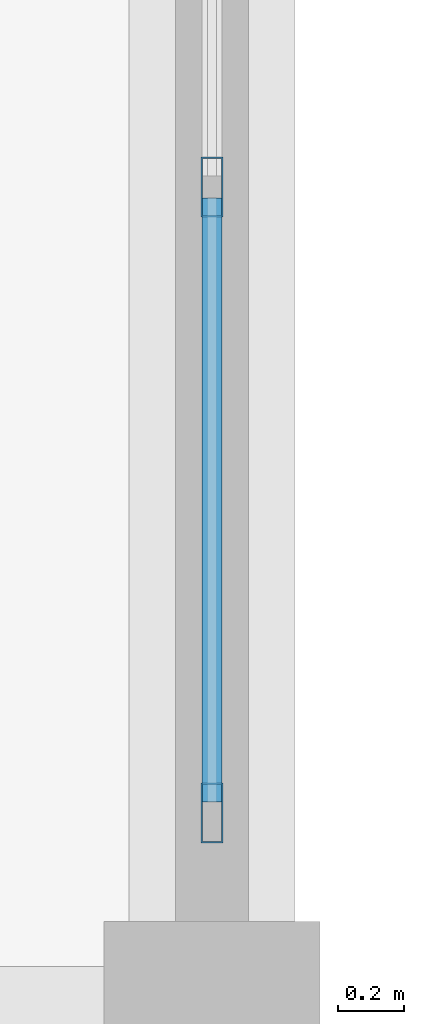
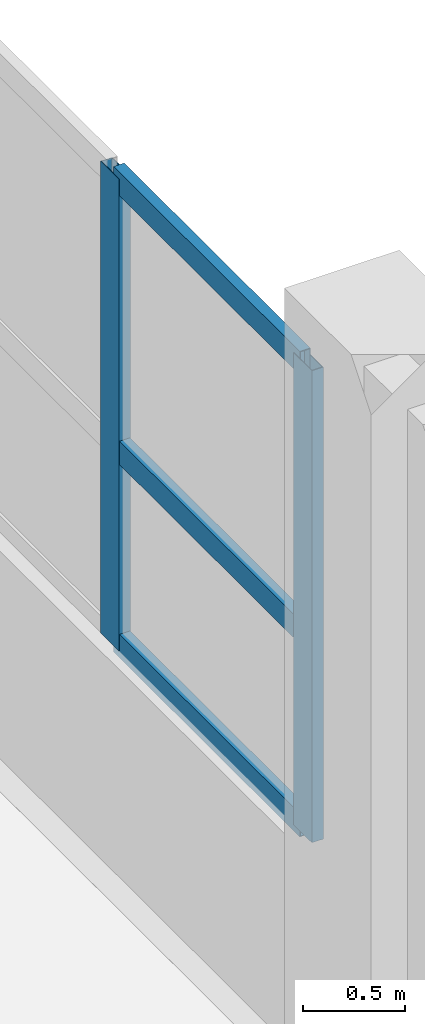
# One storey, part 139 of 181: 5 members, 1 element without a shape of its own.
"""IFC4 building model written with IfcOpenShell, lengths in metres."""

from ifc_helpers import new_model, si_unit, direction, frame, origin, origin_2d, place, context, subcontext, project, spatial, hollow_rectangle, extrude, material, layer, layer_set, material_profile, profile_set, type_object, element, aggregate, save


model = new_model("IFC4")

# Units and contexts
model_context = context("Model", 3, precision=1e-05, world=origin(), true_north=direction((0.0, 1.0)))
body_context = subcontext(model_context, "Body", "Model", "MODEL_VIEW")
ifc_project = project(units=[si_unit("LENGTHUNIT", "METRE"), si_unit("AREAUNIT", "SQUARE_METRE"), si_unit("VOLUMEUNIT", "CUBIC_METRE"), si_unit("PLANEANGLEUNIT", "RADIAN"), si_unit("MASSUNIT", "GRAM", prefix="KILO")], contexts=[model_context])

# Site, building, storey
site_placement = place(None, origin())
site = spatial("IfcSite", under=ifc_project, at=site_placement, CompositionType="ELEMENT")
building_placement = place(site_placement, origin())
building = spatial("IfcBuilding", under=site, at=building_placement, Name="Seraya Terrace Polytechnic", CompositionType="ELEMENT")
storey_placement = place(building_placement, frame((0.0, 0.0, 4.800048828125)))
storey = spatial("IfcBuildingStorey", under=building, at=storey_placement, Name="L01", CompositionType="ELEMENT", Elevation=4.800048828125)

# Curtain wall, members
ifc_material = material(Name="Anodised aluminium EN AW-6063 T6", Category="aluminium")
ifc_layer = layer(ifc_material, 0.179931640625, Name="CW-19")
ifc_layer_set = layer_set([ifc_layer], Name="Anodised aluminium EN AW-6063 T6")
curtain_wall_type = type_object("IfcCurtainWallType", Name="CW-19", PredefinedType="NOTDEFINED", material=ifc_layer_set)
curtain_wall_placement = place(storey_placement, origin())
curtain_wall = element("IfcCurtainWall", 1, at=curtain_wall_placement, inside=storey, type_object=curtain_wall_type, Name="Unitised curtain wall CW-19 (CW-L01-019)", PredefinedType="NOTDEFINED")
ifc_material_profile_1 = material_profile(ifc_material, hollow_rectangle(XDim=0.06494140625, YDim=0.179931640625, WallThickness=0.00390625, at=origin_2d()), Name="RHS 180x65x4.0")
ifc_profile_set_1 = profile_set([ifc_material_profile_1], Name="Anodised aluminium EN AW-6063 T6")
member_type_1 = type_object("IfcMemberType", Name="CWM-01", PredefinedType="MULLION", material=ifc_profile_set_1)
member_1_placement = place(storey_placement, frame((158.39990234375, 103.43994140625, 1.239990234375), z_axis=(0.0, 0.0, 1.0), x_axis=(1.0, 0.0, 0.0)))
member_1 = element("IfcMember", 2, at=member_1_placement, type_object=member_type_1, Name="CW-19 mullion 3", PredefinedType="MULLION", context=body_context, shape_type="SweptSolid", body=[
    extrude(hollow_rectangle(XDim=0.06494140625, YDim=0.179931640625, WallThickness=0.00390625, at=origin_2d()), origin(), (0.0, 0.0, 1.0), 2.820068359375),
])
member_2_placement = place(storey_placement, frame((158.39990234375, 101.552490234375, 1.239990234375), z_axis=(0.0, 0.0, 1.0), x_axis=(1.0, 0.0, 0.0)))
member_2 = element("IfcMember", 3, at=member_2_placement, type_object=member_type_1, Name="CW-19 mullion 4", PredefinedType="MULLION", context=body_context, shape_type="SweptSolid", body=[
    extrude(hollow_rectangle(XDim=0.06494140625, YDim=0.179931640625, WallThickness=0.00390625, at=origin_2d()), origin(), (0.0, 0.0, 1.0), 2.820068359375),
])
ifc_material_profile_2 = material_profile(ifc_material, hollow_rectangle(XDim=0.06005859375, YDim=0.139892578125, WallThickness=0.00341796875, at=origin_2d()), Name="RHS 140x60x3.5")
ifc_profile_set_2 = profile_set([ifc_material_profile_2], Name="Anodised aluminium EN AW-6063 T6")
member_type_2 = type_object("IfcMemberType", Name="CWT-01", PredefinedType="USERDEFINED", material=ifc_profile_set_2)
member_3_placement = place(storey_placement, frame((158.39990234375, 103.407470703125, 1.27001953125), z_axis=(0.0, -1.0, 0.0), x_axis=(1.0, 0.0, 0.0)))
member_3 = element("IfcMember", 4, at=member_3_placement, type_object=member_type_2, Name="CW-19 transom 3.1", ObjectType="TRANSOM", PredefinedType="USERDEFINED", context=body_context, shape_type="SweptSolid", body=[
    extrude(hollow_rectangle(XDim=0.06005859375, YDim=0.139892578125, WallThickness=0.00341796875, at=origin_2d()), origin(), (0.0, 0.0, 1.0), 1.822509765625),
])
member_4_placement = place(storey_placement, frame((158.39990234375, 103.407470703125, 2.42431640625), z_axis=(0.0, -1.0, 0.0), x_axis=(1.0, 0.0, 0.0)))
member_4 = element("IfcMember", 5, at=member_4_placement, type_object=member_type_2, Name="CW-19 transom 3.2", ObjectType="TRANSOM", PredefinedType="USERDEFINED", context=body_context, shape_type="SweptSolid", body=[
    extrude(hollow_rectangle(XDim=0.06005859375, YDim=0.139892578125, WallThickness=0.00341796875, at=origin_2d()), origin(), (0.0, 0.0, 1.0), 1.822509765625),
])
member_5_placement = place(storey_placement, frame((158.39990234375, 103.407470703125, 4.030029296875), z_axis=(0.0, -1.0, 0.0), x_axis=(1.0, 0.0, 0.0)))
member_5 = element("IfcMember", 6, at=member_5_placement, type_object=member_type_2, Name="CW-19 transom 3.3", ObjectType="TRANSOM", PredefinedType="USERDEFINED", context=body_context, shape_type="SweptSolid", body=[
    extrude(hollow_rectangle(XDim=0.06005859375, YDim=0.139892578125, WallThickness=0.00341796875, at=origin_2d()), origin(), (0.0, 0.0, 1.0), 1.822509765625),
])
aggregate(curtain_wall, [member_1, member_2, member_3, member_4, member_5])

save(model, "model.ifc")
